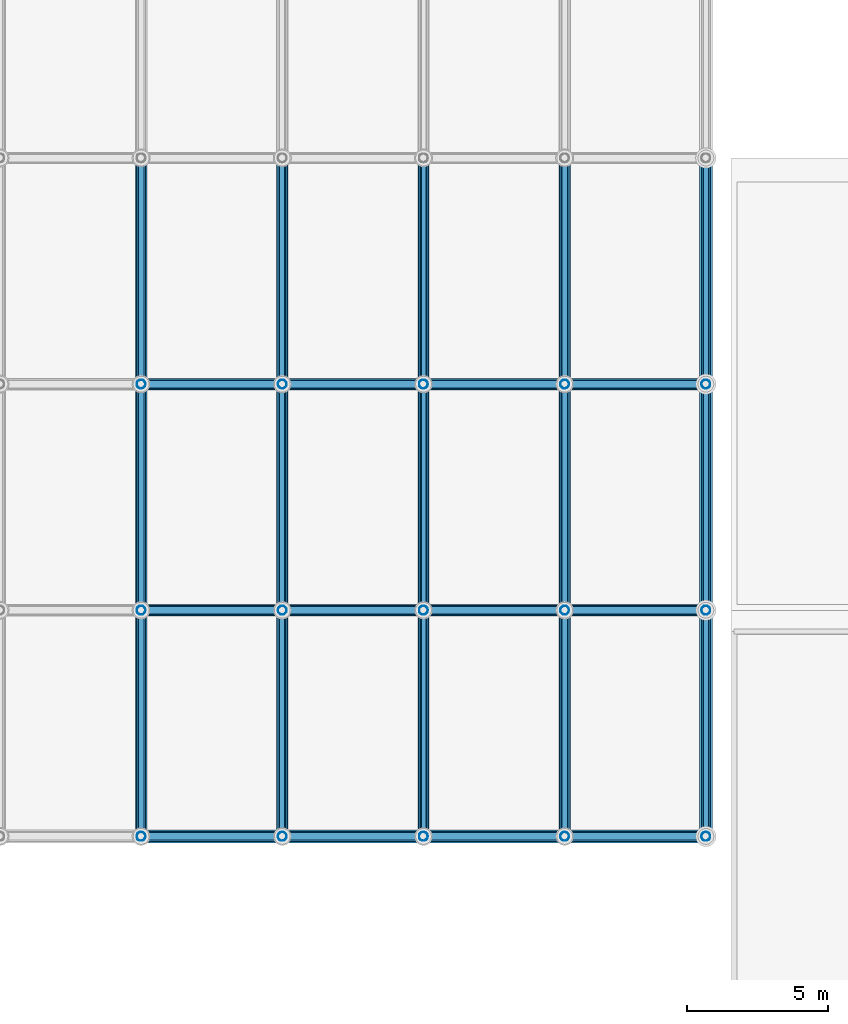
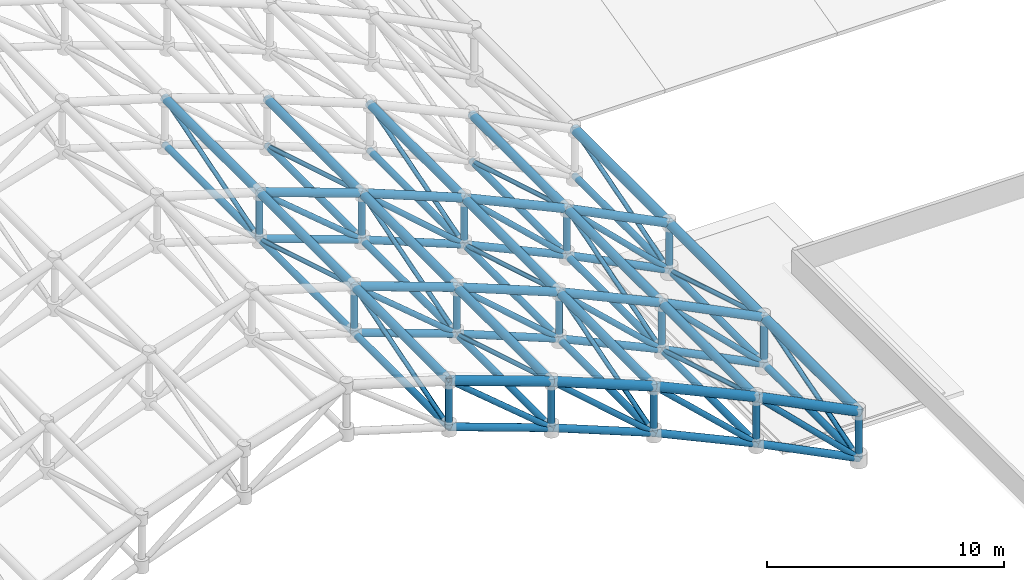
# One storey, part 3 of 11: 96 members.
"""IFC4 building model written with IfcOpenShell, lengths in metres."""

from ifc_helpers import new_model, si_unit, direction, frame, origin, origin_2d, place, context, subcontext, project, spatial, hollow_circle, extrude, material, material_profile, profile_set, type_object, element, save


model = new_model("IFC4")

# Units and contexts
model_context = context("Model", 3, precision=1e-05, world=origin(), true_north=direction((0.0, 1.0)))
body_context = subcontext(model_context, "Body", "Model", "MODEL_VIEW")
ifc_project = project(units=[si_unit("LENGTHUNIT", "METRE"), si_unit("AREAUNIT", "SQUARE_METRE"), si_unit("VOLUMEUNIT", "CUBIC_METRE"), si_unit("PLANEANGLEUNIT", "RADIAN"), si_unit("MASSUNIT", "GRAM", prefix="KILO")], contexts=[model_context])

# Site, building, storey
site_placement = place(None, origin())
site = spatial("IfcSite", under=ifc_project, at=site_placement, CompositionType="ELEMENT")
building_placement = place(site_placement, origin())
building = spatial("IfcBuilding", under=site, at=building_placement, Name="Kazehara Bluff Congress Hotel", CompositionType="ELEMENT")
storey_placement = place(building_placement, frame((0.0, 0.0, 50.39990234375)))
storey = spatial("IfcBuildingStorey", under=building, at=storey_placement, Name="RF", CompositionType="ELEMENT", Elevation=50.39990234375)

# Members
ifc_material_1 = material(Name="Steel STK490", Category="steel")
ifc_material_profile_1 = material_profile(ifc_material_1, hollow_circle(Radius=0.177734375, WallThickness=0.0126953125, at=origin_2d()))
ifc_profile_set_1 = profile_set([ifc_material_profile_1], Name="Steel STK490")
member_type_1 = type_object("IfcMemberType", Name="TP-SF-BC1", PredefinedType="CHORD", material=ifc_profile_set_1)
member_1_placement = place(storey_placement, frame((38.3701171875, 48.449951171875, -22.0), z_axis=(0.940788303939, 0.0, -0.338994641803), x_axis=(0.0, 1.0, 0.0)))
element("IfcMember", 1, at=member_1_placement, inside=storey, type_object=member_type_1, Name="Congress roof space frame bottom arch chord 14", PredefinedType="CHORD", context=body_context, shape_type="SweptSolid", body=[
    extrude(hollow_circle(Radius=0.177734375, WallThickness=0.0126953125, at=origin_2d()), origin(), (0.0, 0.0, 1.0), 5.309326171875),
])
member_2_placement = place(storey_placement, frame((43.364990234375, 48.449951171875, -23.7998046875), z_axis=(0.928351468575, 0.0, -0.371703579207), x_axis=(0.0, 1.0, 0.0)))
element("IfcMember", 2, at=member_2_placement, inside=storey, type_object=member_type_1, Name="Congress roof space frame bottom arch chord 16", PredefinedType="CHORD", context=body_context, shape_type="SweptSolid", body=[
    extrude(hollow_circle(Radius=0.177734375, WallThickness=0.0126953125, at=origin_2d()), origin(), (0.0, 0.0, 1.0), 5.380615234375),
])
member_3_placement = place(storey_placement, frame((48.360107421875, 48.449951171875, -25.7998046875), z_axis=(0.908324180475, 0.0, -0.41826688031), x_axis=(0.0, 1.0, 0.0)))
element("IfcMember", 3, at=member_3_placement, inside=storey, type_object=member_type_1, Name="Congress roof space frame bottom arch chord 18", PredefinedType="CHORD", context=body_context, shape_type="SweptSolid", body=[
    extrude(hollow_circle(Radius=0.177734375, WallThickness=0.0126953125, at=origin_2d()), origin(), (0.0, 0.0, 1.0), 5.4990234375),
])
member_4_placement = place(storey_placement, frame((53.35498046875, 48.449951171875, -28.099853515625), z_axis=(0.894252293271, 0.0, -0.447563220093), x_axis=(0.0, 1.0, 0.0)))
element("IfcMember", 4, at=member_4_placement, inside=storey, type_object=member_type_1, Name="Congress roof space frame bottom arch chord 20", PredefinedType="CHORD", context=body_context, shape_type="SweptSolid", body=[
    extrude(hollow_circle(Radius=0.177734375, WallThickness=0.0126953125, at=origin_2d()), origin(), (0.0, 0.0, 1.0), 5.585693359375),
])
member_5_placement = place(storey_placement, frame((38.3701171875, 56.449951171875, -22.0), z_axis=(0.940788303939, 0.0, -0.338994641803), x_axis=(0.0, 1.0, 0.0)))
element("IfcMember", 5, at=member_5_placement, inside=storey, type_object=member_type_1, Name="Congress roof space frame bottom arch chord 34", PredefinedType="CHORD", context=body_context, shape_type="SweptSolid", body=[
    extrude(hollow_circle(Radius=0.177734375, WallThickness=0.0126953125, at=origin_2d()), origin(), (0.0, 0.0, 1.0), 5.309326171875),
])
member_6_placement = place(storey_placement, frame((43.364990234375, 56.449951171875, -23.7998046875), z_axis=(0.928351468575, 0.0, -0.371703579207), x_axis=(0.0, 1.0, 0.0)))
element("IfcMember", 6, at=member_6_placement, inside=storey, type_object=member_type_1, Name="Congress roof space frame bottom arch chord 36", PredefinedType="CHORD", context=body_context, shape_type="SweptSolid", body=[
    extrude(hollow_circle(Radius=0.177734375, WallThickness=0.0126953125, at=origin_2d()), origin(), (0.0, 0.0, 1.0), 5.380615234375),
])
member_7_placement = place(storey_placement, frame((48.360107421875, 56.449951171875, -25.7998046875), z_axis=(0.908324180475, 0.0, -0.41826688031), x_axis=(0.0, 1.0, 0.0)))
element("IfcMember", 7, at=member_7_placement, inside=storey, type_object=member_type_1, Name="Congress roof space frame bottom arch chord 38", PredefinedType="CHORD", context=body_context, shape_type="SweptSolid", body=[
    extrude(hollow_circle(Radius=0.177734375, WallThickness=0.0126953125, at=origin_2d()), origin(), (0.0, 0.0, 1.0), 5.4990234375),
])
member_8_placement = place(storey_placement, frame((53.35498046875, 56.449951171875, -28.099853515625), z_axis=(0.894252293271, 0.0, -0.447563220093), x_axis=(0.0, 1.0, 0.0)))
element("IfcMember", 8, at=member_8_placement, inside=storey, type_object=member_type_1, Name="Congress roof space frame bottom arch chord 40", PredefinedType="CHORD", context=body_context, shape_type="SweptSolid", body=[
    extrude(hollow_circle(Radius=0.177734375, WallThickness=0.0126953125, at=origin_2d()), origin(), (0.0, 0.0, 1.0), 5.585693359375),
])
member_9_placement = place(storey_placement, frame((38.3701171875, 64.449951171875, -22.0), z_axis=(0.940788303939, 0.0, -0.338994641803), x_axis=(0.0, 1.0, 0.0)))
element("IfcMember", 9, at=member_9_placement, inside=storey, type_object=member_type_1, Name="Congress roof space frame bottom arch chord 54", PredefinedType="CHORD", context=body_context, shape_type="SweptSolid", body=[
    extrude(hollow_circle(Radius=0.177734375, WallThickness=0.0126953125, at=origin_2d()), origin(), (0.0, 0.0, 1.0), 5.309326171875),
])
member_10_placement = place(storey_placement, frame((43.364990234375, 64.449951171875, -23.7998046875), z_axis=(0.928351468575, 0.0, -0.371703579207), x_axis=(0.0, 1.0, 0.0)))
element("IfcMember", 10, at=member_10_placement, inside=storey, type_object=member_type_1, Name="Congress roof space frame bottom arch chord 56", PredefinedType="CHORD", context=body_context, shape_type="SweptSolid", body=[
    extrude(hollow_circle(Radius=0.177734375, WallThickness=0.0126953125, at=origin_2d()), origin(), (0.0, 0.0, 1.0), 5.380615234375),
])
member_11_placement = place(storey_placement, frame((48.360107421875, 64.449951171875, -25.7998046875), z_axis=(0.908324180475, 0.0, -0.41826688031), x_axis=(0.0, 1.0, 0.0)))
element("IfcMember", 11, at=member_11_placement, inside=storey, type_object=member_type_1, Name="Congress roof space frame bottom arch chord 58", PredefinedType="CHORD", context=body_context, shape_type="SweptSolid", body=[
    extrude(hollow_circle(Radius=0.177734375, WallThickness=0.0126953125, at=origin_2d()), origin(), (0.0, 0.0, 1.0), 5.4990234375),
])
member_12_placement = place(storey_placement, frame((53.35498046875, 64.449951171875, -28.099853515625), z_axis=(0.894252293271, 0.0, -0.447563220093), x_axis=(0.0, 1.0, 0.0)))
element("IfcMember", 12, at=member_12_placement, inside=storey, type_object=member_type_1, Name="Congress roof space frame bottom arch chord 60", PredefinedType="CHORD", context=body_context, shape_type="SweptSolid", body=[
    extrude(hollow_circle(Radius=0.177734375, WallThickness=0.0126953125, at=origin_2d()), origin(), (0.0, 0.0, 1.0), 5.585693359375),
])
ifc_material_2 = material(Name="Steel STK490", Category="steel")
ifc_material_profile_2 = material_profile(ifc_material_2, hollow_circle(Radius=0.1591796875, WallThickness=0.01025390625, at=origin_2d()))
ifc_profile_set_2 = profile_set([ifc_material_profile_2], Name="Steel STK490")
member_type_2 = type_object("IfcMemberType", Name="TP-SF-BC2", PredefinedType="CHORD", material=ifc_profile_set_2)
for number, where, z_axis, x_axis, name in (
    (13, (38.3701171875, 48.449951171875, -22.0), (0.0, 1.0, 0.0), (-1.0, 0.0, 0.0), "Congress roof space frame bottom longitudinal chord 278"),
    (14, (38.3701171875, 56.449951171875, -22.0), (0.0, 1.0, 0.0), (-1.0, 0.0, 0.0), "Congress roof space frame bottom longitudinal chord 280"),
    (15, (38.3701171875, 64.449951171875, -22.0), (0.0, 1.0, 0.0), (-1.0, 0.0, 0.0), "Congress roof space frame bottom longitudinal chord 282"),
    (16, (43.364990234375, 48.449951171875, -23.7998046875), (0.0, 1.0, 0.0), (-1.0, 0.0, 0.0), "Congress roof space frame bottom longitudinal chord 294"),
    (17, (43.364990234375, 56.449951171875, -23.7998046875), (0.0, 1.0, 0.0), (-1.0, 0.0, 0.0), "Congress roof space frame bottom longitudinal chord 296"),
    (18, (43.364990234375, 64.449951171875, -23.7998046875), (0.0, 1.0, 0.0), (-1.0, 0.0, 0.0), "Congress roof space frame bottom longitudinal chord 298"),
    (19, (48.360107421875, 48.449951171875, -25.7998046875), (0.0, 1.0, 0.0), (-1.0, 0.0, 0.0), "Congress roof space frame bottom longitudinal chord 310"),
    (20, (48.360107421875, 56.449951171875, -25.7998046875), (0.0, 1.0, 0.0), (-1.0, 0.0, 0.0), "Congress roof space frame bottom longitudinal chord 312"),
    (21, (48.360107421875, 64.449951171875, -25.7998046875), (0.0, 1.0, 0.0), (-1.0, 0.0, 0.0), "Congress roof space frame bottom longitudinal chord 314"),
    (22, (53.35498046875, 48.449951171875, -28.099853515625), (0.0, 1.0, 0.0), (-1.0, 0.0, 0.0), "Congress roof space frame bottom longitudinal chord 326"),
    (23, (53.35498046875, 56.449951171875, -28.099853515625), (0.0, 1.0, 0.0), (-1.0, 0.0, 0.0), "Congress roof space frame bottom longitudinal chord 328"),
    (24, (53.35498046875, 64.449951171875, -28.099853515625), (0.0, 1.0, 0.0), (-1.0, 0.0, 0.0), "Congress roof space frame bottom longitudinal chord 330"),
    (25, (58.35009765625, 48.449951171875, -30.599853515625), (0.0, 1.0, 0.0), (-1.0, 0.0, 0.0), "Congress roof space frame bottom longitudinal chord 342"),
    (26, (58.35009765625, 56.449951171875, -30.599853515625), (0.0, 1.0, 0.0), (-1.0, 0.0, 0.0), "Congress roof space frame bottom longitudinal chord 344"),
    (27, (58.35009765625, 64.449951171875, -30.599853515625), (0.0, 1.0, 0.0), (-1.0, 0.0, 0.0), "Congress roof space frame bottom longitudinal chord 346"),
):
    element("IfcMember", number, at=place(storey_placement, frame(where, z_axis=z_axis, x_axis=x_axis)), inside=storey, type_object=member_type_2, Name=name, PredefinedType="CHORD", context=body_context, shape_type="SweptSolid", body=[
        extrude(hollow_circle(Radius=0.1591796875, WallThickness=0.01025390625, at=origin_2d()), origin(), (0.0, 0.0, 1.0), 8.0),
    ])
ifc_material_3 = material(Name="Steel STK490", Category="steel")
ifc_material_profile_3 = material_profile(ifc_material_3, hollow_circle(Radius=0.1337890625, WallThickness=0.00927734375, at=origin_2d()))
ifc_profile_set_3 = profile_set([ifc_material_profile_3], Name="Steel STK490")
member_type_3 = type_object("IfcMemberType", Name="TP-SF-DG1", PredefinedType="BRACE", material=ifc_profile_set_3)
member_13_placement = place(storey_placement, frame((38.3701171875, 48.449951171875, -19.599853515625), z_axis=(0.765383445182, 0.0, -0.643574534799), x_axis=(0.0, 1.0, 0.0)))
element("IfcMember", 28, at=member_13_placement, inside=storey, type_object=member_type_3, Name="Congress roof space frame arch web diagonal 462", PredefinedType="BRACE", context=body_context, shape_type="SweptSolid", body=[
    extrude(hollow_circle(Radius=0.1337890625, WallThickness=0.00927734375, at=origin_2d()), origin(), (0.0, 0.0, 1.0), 6.52587890625),
])
member_14_placement = place(storey_placement, frame((43.364990234375, 48.449951171875, -21.39990234375), z_axis=(0.750400574845, 0.0, -0.660983341146), x_axis=(0.0, 1.0, 0.0)))
element("IfcMember", 29, at=member_14_placement, inside=storey, type_object=member_type_3, Name="Congress roof space frame arch web diagonal 463", PredefinedType="BRACE", context=body_context, shape_type="SweptSolid", body=[
    extrude(hollow_circle(Radius=0.1337890625, WallThickness=0.00927734375, at=origin_2d()), origin(), (0.0, 0.0, 1.0), 6.656494140625),
])
member_15_placement = place(storey_placement, frame((48.360107421875, 48.449951171875, -23.39990234375), z_axis=(0.728280456647, 0.0, -0.685279195997), x_axis=(0.0, 1.0, 0.0)))
element("IfcMember", 30, at=member_15_placement, inside=storey, type_object=member_type_3, Name="Congress roof space frame arch web diagonal 464", PredefinedType="BRACE", context=body_context, shape_type="SweptSolid", body=[
    extrude(hollow_circle(Radius=0.1337890625, WallThickness=0.00927734375, at=origin_2d()), origin(), (0.0, 0.0, 1.0), 6.8583984375),
])
member_16_placement = place(storey_placement, frame((53.35498046875, 48.449951171875, -25.699951171875), z_axis=(0.713877868379, 0.0, -0.700270225726), x_axis=(0.0, 1.0, 0.0)))
element("IfcMember", 31, at=member_16_placement, inside=storey, type_object=member_type_3, Name="Congress roof space frame arch web diagonal 465", PredefinedType="BRACE", context=body_context, shape_type="SweptSolid", body=[
    extrude(hollow_circle(Radius=0.1337890625, WallThickness=0.00927734375, at=origin_2d()), origin(), (0.0, 0.0, 1.0), 6.9970703125),
])
member_17_placement = place(storey_placement, frame((38.3701171875, 56.449951171875, -19.599853515625), z_axis=(0.765383445182, 0.0, -0.643574534799), x_axis=(0.0, 1.0, 0.0)))
element("IfcMember", 32, at=member_17_placement, inside=storey, type_object=member_type_3, Name="Congress roof space frame arch web diagonal 472", PredefinedType="BRACE", context=body_context, shape_type="SweptSolid", body=[
    extrude(hollow_circle(Radius=0.1337890625, WallThickness=0.00927734375, at=origin_2d()), origin(), (0.0, 0.0, 1.0), 6.52587890625),
])
member_18_placement = place(storey_placement, frame((43.364990234375, 56.449951171875, -21.39990234375), z_axis=(0.750400574845, 0.0, -0.660983341146), x_axis=(0.0, 1.0, 0.0)))
element("IfcMember", 33, at=member_18_placement, inside=storey, type_object=member_type_3, Name="Congress roof space frame arch web diagonal 473", PredefinedType="BRACE", context=body_context, shape_type="SweptSolid", body=[
    extrude(hollow_circle(Radius=0.1337890625, WallThickness=0.00927734375, at=origin_2d()), origin(), (0.0, 0.0, 1.0), 6.656494140625),
])
member_19_placement = place(storey_placement, frame((48.360107421875, 56.449951171875, -23.39990234375), z_axis=(0.728280456647, 0.0, -0.685279195997), x_axis=(0.0, 1.0, 0.0)))
element("IfcMember", 34, at=member_19_placement, inside=storey, type_object=member_type_3, Name="Congress roof space frame arch web diagonal 474", PredefinedType="BRACE", context=body_context, shape_type="SweptSolid", body=[
    extrude(hollow_circle(Radius=0.1337890625, WallThickness=0.00927734375, at=origin_2d()), origin(), (0.0, 0.0, 1.0), 6.8583984375),
])
member_20_placement = place(storey_placement, frame((53.35498046875, 56.449951171875, -25.699951171875), z_axis=(0.713877868379, 0.0, -0.700270225726), x_axis=(0.0, 1.0, 0.0)))
element("IfcMember", 35, at=member_20_placement, inside=storey, type_object=member_type_3, Name="Congress roof space frame arch web diagonal 475", PredefinedType="BRACE", context=body_context, shape_type="SweptSolid", body=[
    extrude(hollow_circle(Radius=0.1337890625, WallThickness=0.00927734375, at=origin_2d()), origin(), (0.0, 0.0, 1.0), 6.9970703125),
])
member_21_placement = place(storey_placement, frame((38.3701171875, 64.449951171875, -19.599853515625), z_axis=(0.765383445182, 0.0, -0.643574534799), x_axis=(0.0, 1.0, 0.0)))
element("IfcMember", 36, at=member_21_placement, inside=storey, type_object=member_type_3, Name="Congress roof space frame arch web diagonal 482", PredefinedType="BRACE", context=body_context, shape_type="SweptSolid", body=[
    extrude(hollow_circle(Radius=0.1337890625, WallThickness=0.00927734375, at=origin_2d()), origin(), (0.0, 0.0, 1.0), 6.52587890625),
])
member_22_placement = place(storey_placement, frame((43.364990234375, 64.449951171875, -21.39990234375), z_axis=(0.750400574845, 0.0, -0.660983341146), x_axis=(0.0, 1.0, 0.0)))
element("IfcMember", 37, at=member_22_placement, inside=storey, type_object=member_type_3, Name="Congress roof space frame arch web diagonal 483", PredefinedType="BRACE", context=body_context, shape_type="SweptSolid", body=[
    extrude(hollow_circle(Radius=0.1337890625, WallThickness=0.00927734375, at=origin_2d()), origin(), (0.0, 0.0, 1.0), 6.656494140625),
])
member_23_placement = place(storey_placement, frame((48.360107421875, 64.449951171875, -23.39990234375), z_axis=(0.728280456647, 0.0, -0.685279195997), x_axis=(0.0, 1.0, 0.0)))
element("IfcMember", 38, at=member_23_placement, inside=storey, type_object=member_type_3, Name="Congress roof space frame arch web diagonal 484", PredefinedType="BRACE", context=body_context, shape_type="SweptSolid", body=[
    extrude(hollow_circle(Radius=0.1337890625, WallThickness=0.00927734375, at=origin_2d()), origin(), (0.0, 0.0, 1.0), 6.8583984375),
])
member_24_placement = place(storey_placement, frame((53.35498046875, 64.449951171875, -25.699951171875), z_axis=(0.713877868379, 0.0, -0.700270225726), x_axis=(0.0, 1.0, 0.0)))
element("IfcMember", 39, at=member_24_placement, inside=storey, type_object=member_type_3, Name="Congress roof space frame arch web diagonal 485", PredefinedType="BRACE", context=body_context, shape_type="SweptSolid", body=[
    extrude(hollow_circle(Radius=0.1337890625, WallThickness=0.00927734375, at=origin_2d()), origin(), (0.0, 0.0, 1.0), 6.9970703125),
])
ifc_material_4 = material(Name="Steel STK490", Category="steel")
ifc_material_profile_4 = material_profile(ifc_material_4, hollow_circle(Radius=0.108154296875, WallThickness=0.00830078125, at=origin_2d()))
ifc_profile_set_4 = profile_set([ifc_material_profile_4], Name="Steel STK490")
member_type_4 = type_object("IfcMemberType", Name="TP-SF-DG2", PredefinedType="BRACE", material=ifc_profile_set_4)
for number, where, z_axis, x_axis, name in (
    (40, (38.3701171875, 48.449951171875, -22.0), (0.0, 0.957821458049, 0.287363975649), (-1.0, 0.0, 0.0), "Congress roof space frame transverse web diagonal 594"),
    (41, (38.3701171875, 56.449951171875, -19.599853515625), (0.0, 0.957821458049, -0.287363975649), (-1.0, 0.0, 0.0), "Congress roof space frame transverse web diagonal 595"),
    (42, (38.3701171875, 64.449951171875, -22.0), (0.0, 0.957821458049, 0.287363975649), (-1.0, 0.0, 0.0), "Congress roof space frame transverse web diagonal 596"),
    (43, (43.364990234375, 48.449951171875, -21.39990234375), (0.0, 0.957829503213, -0.287337158709), (-1.0, 0.0, 0.0), "Congress roof space frame transverse web diagonal 602"),
    (44, (43.364990234375, 56.449951171875, -23.7998046875), (0.0, 0.957829503213, 0.287337158709), (-1.0, 0.0, 0.0), "Congress roof space frame transverse web diagonal 603"),
    (45, (43.364990234375, 64.449951171875, -21.39990234375), (0.0, 0.957829503213, -0.287337158709), (-1.0, 0.0, 0.0), "Congress roof space frame transverse web diagonal 604"),
    (46, (48.360107421875, 48.449951171875, -25.7998046875), (0.0, 0.957829503213, 0.287337158709), (-1.0, 0.0, 0.0), "Congress roof space frame transverse web diagonal 610"),
    (47, (48.360107421875, 56.449951171875, -23.39990234375), (0.0, 0.957829503213, -0.287337158709), (-1.0, 0.0, 0.0), "Congress roof space frame transverse web diagonal 611"),
    (48, (48.360107421875, 64.449951171875, -25.7998046875), (0.0, 0.957829503213, 0.287337158709), (-1.0, 0.0, 0.0), "Congress roof space frame transverse web diagonal 612"),
    (49, (53.35498046875, 48.449951171875, -25.699951171875), (0.0, 0.957829503213, -0.287337158709), (-1.0, 0.0, 0.0), "Congress roof space frame transverse web diagonal 618"),
    (50, (53.35498046875, 56.449951171875, -28.099853515625), (0.0, 0.957829503213, 0.287337158709), (-1.0, 0.0, 0.0), "Congress roof space frame transverse web diagonal 619"),
    (51, (53.35498046875, 64.449951171875, -25.699951171875), (0.0, 0.957829503213, -0.287337158709), (-1.0, 0.0, 0.0), "Congress roof space frame transverse web diagonal 620"),
    (52, (58.35009765625, 48.449951171875, -30.599853515625), (0.0, 0.957829503213, 0.287337158709), (-1.0, 0.0, 0.0), "Congress roof space frame transverse web diagonal 626"),
    (53, (58.35009765625, 56.449951171875, -28.199951171875), (0.0, 0.957829503213, -0.287337158709), (-1.0, 0.0, 0.0), "Congress roof space frame transverse web diagonal 627"),
    (54, (58.35009765625, 64.449951171875, -30.599853515625), (0.0, 0.957829503213, 0.287337158709), (-1.0, 0.0, 0.0), "Congress roof space frame transverse web diagonal 628"),
):
    element("IfcMember", number, at=place(storey_placement, frame(where, z_axis=z_axis, x_axis=x_axis)), inside=storey, type_object=member_type_4, Name=name, PredefinedType="BRACE", context=body_context, shape_type="SweptSolid", body=[
        extrude(hollow_circle(Radius=0.108154296875, WallThickness=0.00830078125, at=origin_2d()), origin(), (0.0, 0.0, 1.0), 8.352294921875),
    ])
ifc_material_5 = material(Name="Steel STK490", Category="steel")
ifc_material_profile_5 = material_profile(ifc_material_5, hollow_circle(Radius=0.1591796875, WallThickness=0.01025390625, at=origin_2d()))
ifc_profile_set_5 = profile_set([ifc_material_profile_5], Name="Steel STK490")
member_type_5 = type_object("IfcMemberType", Name="TP-SF-PS1", PredefinedType="POST", material=ifc_profile_set_5)
for number, where, z_axis, x_axis, name in (
    (55, (38.3701171875, 48.449951171875, -22.0), (0.0, 0.0, 1.0), (1.0, 0.0, 0.0), "Congress roof space frame vertical post 411"),
    (56, (38.3701171875, 56.449951171875, -22.0), (0.0, 0.0, 1.0), (1.0, 0.0, 0.0), "Congress roof space frame vertical post 412"),
    (57, (38.3701171875, 64.449951171875, -22.0), (0.0, 0.0, 1.0), (1.0, 0.0, 0.0), "Congress roof space frame vertical post 413"),
):
    element("IfcMember", number, at=place(storey_placement, frame(where, z_axis=z_axis, x_axis=x_axis)), inside=storey, type_object=member_type_5, Name=name, PredefinedType="POST", context=body_context, shape_type="SweptSolid", body=[
        extrude(hollow_circle(Radius=0.1591796875, WallThickness=0.01025390625, at=origin_2d()), origin(), (0.0, 0.0, 1.0), 2.400146484375),
    ])
for number, where, z_axis, x_axis, name in (
    (58, (43.364990234375, 48.449951171875, -23.7998046875), (0.0, 0.0, 1.0), (1.0, 0.0, 0.0), "Congress roof space frame vertical post 420"),
    (59, (43.364990234375, 56.449951171875, -23.7998046875), (0.0, 0.0, 1.0), (1.0, 0.0, 0.0), "Congress roof space frame vertical post 421"),
    (60, (43.364990234375, 64.449951171875, -23.7998046875), (0.0, 0.0, 1.0), (1.0, 0.0, 0.0), "Congress roof space frame vertical post 422"),
    (61, (48.360107421875, 48.449951171875, -25.7998046875), (0.0, 0.0, 1.0), (1.0, 0.0, 0.0), "Congress roof space frame vertical post 429"),
    (62, (48.360107421875, 56.449951171875, -25.7998046875), (0.0, 0.0, 1.0), (1.0, 0.0, 0.0), "Congress roof space frame vertical post 430"),
    (63, (48.360107421875, 64.449951171875, -25.7998046875), (0.0, 0.0, 1.0), (1.0, 0.0, 0.0), "Congress roof space frame vertical post 431"),
    (64, (53.35498046875, 48.449951171875, -28.099853515625), (0.0, 0.0, 1.0), (1.0, 0.0, 0.0), "Congress roof space frame vertical post 438"),
    (65, (53.35498046875, 56.449951171875, -28.099853515625), (0.0, 0.0, 1.0), (1.0, 0.0, 0.0), "Congress roof space frame vertical post 439"),
    (66, (53.35498046875, 64.449951171875, -28.099853515625), (0.0, 0.0, 1.0), (1.0, 0.0, 0.0), "Congress roof space frame vertical post 440"),
    (67, (58.35009765625, 48.449951171875, -30.599853515625), (0.0, 0.0, 1.0), (1.0, 0.0, 0.0), "Congress roof space frame vertical post 447"),
    (68, (58.35009765625, 56.449951171875, -30.599853515625), (0.0, 0.0, 1.0), (1.0, 0.0, 0.0), "Congress roof space frame vertical post 448"),
    (69, (58.35009765625, 64.449951171875, -30.599853515625), (0.0, 0.0, 1.0), (1.0, 0.0, 0.0), "Congress roof space frame vertical post 449"),
):
    element("IfcMember", number, at=place(storey_placement, frame(where, z_axis=z_axis, x_axis=x_axis)), inside=storey, type_object=member_type_5, Name=name, PredefinedType="POST", context=body_context, shape_type="SweptSolid", body=[
        extrude(hollow_circle(Radius=0.1591796875, WallThickness=0.01025390625, at=origin_2d()), origin(), (0.0, 0.0, 1.0), 2.39990234375),
    ])
ifc_material_6 = material(Name="Steel STK490", Category="steel")
ifc_material_profile_6 = material_profile(ifc_material_6, hollow_circle(Radius=0.203125, WallThickness=0.0126953125, at=origin_2d()))
ifc_profile_set_6 = profile_set([ifc_material_profile_6], Name="Steel STK490")
member_type_6 = type_object("IfcMemberType", Name="TP-SF-TC1", PredefinedType="CHORD", material=ifc_profile_set_6)
member_25_placement = place(storey_placement, frame((38.3701171875, 56.449951171875, -19.599853515625), z_axis=(0.940773637944, 0.0, -0.339035340562), x_axis=(0.0, 1.0, 0.0)))
element("IfcMember", 70, at=member_25_placement, inside=storey, type_object=member_type_6, Name="Congress roof space frame top arch chord 33", PredefinedType="CHORD", context=body_context, shape_type="SweptSolid", body=[
    extrude(hollow_circle(Radius=0.203125, WallThickness=0.0126953125, at=origin_2d()), origin(), (0.0, 0.0, 1.0), 5.309326171875),
])
member_26_placement = place(storey_placement, frame((43.364990234375, 56.449951171875, -21.39990234375), z_axis=(0.928351468575, 0.0, -0.371703579207), x_axis=(0.0, 1.0, 0.0)))
element("IfcMember", 71, at=member_26_placement, inside=storey, type_object=member_type_6, Name="Congress roof space frame top arch chord 35", PredefinedType="CHORD", context=body_context, shape_type="SweptSolid", body=[
    extrude(hollow_circle(Radius=0.203125, WallThickness=0.0126953125, at=origin_2d()), origin(), (0.0, 0.0, 1.0), 5.380615234375),
])
member_27_placement = place(storey_placement, frame((48.360107421875, 56.449951171875, -23.39990234375), z_axis=(0.908324180475, 0.0, -0.41826688031), x_axis=(0.0, 1.0, 0.0)))
element("IfcMember", 72, at=member_27_placement, inside=storey, type_object=member_type_6, Name="Congress roof space frame top arch chord 37", PredefinedType="CHORD", context=body_context, shape_type="SweptSolid", body=[
    extrude(hollow_circle(Radius=0.203125, WallThickness=0.0126953125, at=origin_2d()), origin(), (0.0, 0.0, 1.0), 5.4990234375),
])
member_28_placement = place(storey_placement, frame((53.35498046875, 56.449951171875, -25.699951171875), z_axis=(0.894252293271, 0.0, -0.447563220093), x_axis=(0.0, 1.0, 0.0)))
element("IfcMember", 73, at=member_28_placement, inside=storey, type_object=member_type_6, Name="Congress roof space frame top arch chord 39", PredefinedType="CHORD", context=body_context, shape_type="SweptSolid", body=[
    extrude(hollow_circle(Radius=0.203125, WallThickness=0.0126953125, at=origin_2d()), origin(), (0.0, 0.0, 1.0), 5.585693359375),
])
member_29_placement = place(storey_placement, frame((38.3701171875, 64.449951171875, -19.599853515625), z_axis=(0.940773637944, 0.0, -0.339035340562), x_axis=(0.0, 1.0, 0.0)))
element("IfcMember", 74, at=member_29_placement, inside=storey, type_object=member_type_6, Name="Congress roof space frame top arch chord 53", PredefinedType="CHORD", context=body_context, shape_type="SweptSolid", body=[
    extrude(hollow_circle(Radius=0.203125, WallThickness=0.0126953125, at=origin_2d()), origin(), (0.0, 0.0, 1.0), 5.309326171875),
])
member_30_placement = place(storey_placement, frame((43.364990234375, 64.449951171875, -21.39990234375), z_axis=(0.928351468575, 0.0, -0.371703579207), x_axis=(0.0, 1.0, 0.0)))
element("IfcMember", 75, at=member_30_placement, inside=storey, type_object=member_type_6, Name="Congress roof space frame top arch chord 55", PredefinedType="CHORD", context=body_context, shape_type="SweptSolid", body=[
    extrude(hollow_circle(Radius=0.203125, WallThickness=0.0126953125, at=origin_2d()), origin(), (0.0, 0.0, 1.0), 5.380615234375),
])
member_31_placement = place(storey_placement, frame((48.360107421875, 64.449951171875, -23.39990234375), z_axis=(0.908324180475, 0.0, -0.41826688031), x_axis=(0.0, 1.0, 0.0)))
element("IfcMember", 76, at=member_31_placement, inside=storey, type_object=member_type_6, Name="Congress roof space frame top arch chord 57", PredefinedType="CHORD", context=body_context, shape_type="SweptSolid", body=[
    extrude(hollow_circle(Radius=0.203125, WallThickness=0.0126953125, at=origin_2d()), origin(), (0.0, 0.0, 1.0), 5.4990234375),
])
member_32_placement = place(storey_placement, frame((53.35498046875, 64.449951171875, -25.699951171875), z_axis=(0.894252293271, 0.0, -0.447563220093), x_axis=(0.0, 1.0, 0.0)))
element("IfcMember", 77, at=member_32_placement, inside=storey, type_object=member_type_6, Name="Congress roof space frame top arch chord 59", PredefinedType="CHORD", context=body_context, shape_type="SweptSolid", body=[
    extrude(hollow_circle(Radius=0.203125, WallThickness=0.0126953125, at=origin_2d()), origin(), (0.0, 0.0, 1.0), 5.585693359375),
])
for number, where, z_axis, x_axis, name in (
    (78, (38.3701171875, 48.449951171875, -19.599853515625), (0.0, 1.0, 0.0), (-1.0, 0.0, 0.0), "Congress roof space frame top longitudinal chord 277"),
    (79, (38.3701171875, 56.449951171875, -19.599853515625), (0.0, 1.0, 0.0), (-1.0, 0.0, 0.0), "Congress roof space frame top longitudinal chord 279"),
    (80, (38.3701171875, 64.449951171875, -19.599853515625), (0.0, 1.0, 0.0), (-1.0, 0.0, 0.0), "Congress roof space frame top longitudinal chord 281"),
    (81, (43.364990234375, 48.449951171875, -21.39990234375), (0.0, 1.0, 0.0), (-1.0, 0.0, 0.0), "Congress roof space frame top longitudinal chord 293"),
    (82, (43.364990234375, 56.449951171875, -21.39990234375), (0.0, 1.0, 0.0), (-1.0, 0.0, 0.0), "Congress roof space frame top longitudinal chord 295"),
    (83, (43.364990234375, 64.449951171875, -21.39990234375), (0.0, 1.0, 0.0), (-1.0, 0.0, 0.0), "Congress roof space frame top longitudinal chord 297"),
    (84, (48.360107421875, 48.449951171875, -23.39990234375), (0.0, 1.0, 0.0), (-1.0, 0.0, 0.0), "Congress roof space frame top longitudinal chord 309"),
    (85, (48.360107421875, 56.449951171875, -23.39990234375), (0.0, 1.0, 0.0), (-1.0, 0.0, 0.0), "Congress roof space frame top longitudinal chord 311"),
    (86, (48.360107421875, 64.449951171875, -23.39990234375), (0.0, 1.0, 0.0), (-1.0, 0.0, 0.0), "Congress roof space frame top longitudinal chord 313"),
    (87, (53.35498046875, 48.449951171875, -25.699951171875), (0.0, 1.0, 0.0), (-1.0, 0.0, 0.0), "Congress roof space frame top longitudinal chord 325"),
    (88, (53.35498046875, 56.449951171875, -25.699951171875), (0.0, 1.0, 0.0), (-1.0, 0.0, 0.0), "Congress roof space frame top longitudinal chord 327"),
    (89, (53.35498046875, 64.449951171875, -25.699951171875), (0.0, 1.0, 0.0), (-1.0, 0.0, 0.0), "Congress roof space frame top longitudinal chord 329"),
):
    element("IfcMember", number, at=place(storey_placement, frame(where, z_axis=z_axis, x_axis=x_axis)), inside=storey, type_object=member_type_6, Name=name, PredefinedType="CHORD", context=body_context, shape_type="SweptSolid", body=[
        extrude(hollow_circle(Radius=0.203125, WallThickness=0.0126953125, at=origin_2d()), origin(), (0.0, 0.0, 1.0), 8.0),
    ])
ifc_material_7 = material(Name="Steel STK490", Category="steel")
ifc_material_profile_7 = material_profile(ifc_material_7, hollow_circle(Radius=0.228515625, WallThickness=0.013916015625, at=origin_2d()))
ifc_profile_set_7 = profile_set([ifc_material_profile_7], Name="Steel STK490")
member_type_7 = type_object("IfcMemberType", Name="TP-SF-TC2", PredefinedType="CHORD", material=ifc_profile_set_7)
member_33_placement = place(storey_placement, frame((38.3701171875, 48.449951171875, -19.599853515625), z_axis=(0.940773637944, 0.0, -0.339035340562), x_axis=(0.0, 1.0, 0.0)))
element("IfcMember", 90, at=member_33_placement, inside=storey, type_object=member_type_7, Name="Congress roof space frame top arch chord 13", PredefinedType="CHORD", context=body_context, shape_type="SweptSolid", body=[
    extrude(hollow_circle(Radius=0.228515625, WallThickness=0.013916015625, at=origin_2d()), origin(), (0.0, 0.0, 1.0), 5.309326171875),
])
member_34_placement = place(storey_placement, frame((43.364990234375, 48.449951171875, -21.39990234375), z_axis=(0.928351468575, 0.0, -0.371703579207), x_axis=(0.0, 1.0, 0.0)))
element("IfcMember", 91, at=member_34_placement, inside=storey, type_object=member_type_7, Name="Congress roof space frame top arch chord 15", PredefinedType="CHORD", context=body_context, shape_type="SweptSolid", body=[
    extrude(hollow_circle(Radius=0.228515625, WallThickness=0.013916015625, at=origin_2d()), origin(), (0.0, 0.0, 1.0), 5.380615234375),
])
member_35_placement = place(storey_placement, frame((48.360107421875, 48.449951171875, -23.39990234375), z_axis=(0.908324180475, 0.0, -0.41826688031), x_axis=(0.0, 1.0, 0.0)))
element("IfcMember", 92, at=member_35_placement, inside=storey, type_object=member_type_7, Name="Congress roof space frame top arch chord 17", PredefinedType="CHORD", context=body_context, shape_type="SweptSolid", body=[
    extrude(hollow_circle(Radius=0.228515625, WallThickness=0.013916015625, at=origin_2d()), origin(), (0.0, 0.0, 1.0), 5.4990234375),
])
member_36_placement = place(storey_placement, frame((53.35498046875, 48.449951171875, -25.699951171875), z_axis=(0.894252293271, 0.0, -0.447563220093), x_axis=(0.0, 1.0, 0.0)))
element("IfcMember", 93, at=member_36_placement, inside=storey, type_object=member_type_7, Name="Congress roof space frame top arch chord 19", PredefinedType="CHORD", context=body_context, shape_type="SweptSolid", body=[
    extrude(hollow_circle(Radius=0.228515625, WallThickness=0.013916015625, at=origin_2d()), origin(), (0.0, 0.0, 1.0), 5.585693359375),
])
for number, where, z_axis, x_axis, name in (
    (94, (58.35009765625, 48.449951171875, -28.199951171875), (0.0, 1.0, 0.0), (-1.0, 0.0, 0.0), "Congress roof space frame top longitudinal chord 341"),
    (95, (58.35009765625, 56.449951171875, -28.199951171875), (0.0, 1.0, 0.0), (-1.0, 0.0, 0.0), "Congress roof space frame top longitudinal chord 343"),
    (96, (58.35009765625, 64.449951171875, -28.199951171875), (0.0, 1.0, 0.0), (-1.0, 0.0, 0.0), "Congress roof space frame top longitudinal chord 345"),
):
    element("IfcMember", number, at=place(storey_placement, frame(where, z_axis=z_axis, x_axis=x_axis)), inside=storey, type_object=member_type_7, Name=name, PredefinedType="CHORD", context=body_context, shape_type="SweptSolid", body=[
        extrude(hollow_circle(Radius=0.228515625, WallThickness=0.013916015625, at=origin_2d()), origin(), (0.0, 0.0, 1.0), 8.0),
    ])

save(model, "model.ifc")
